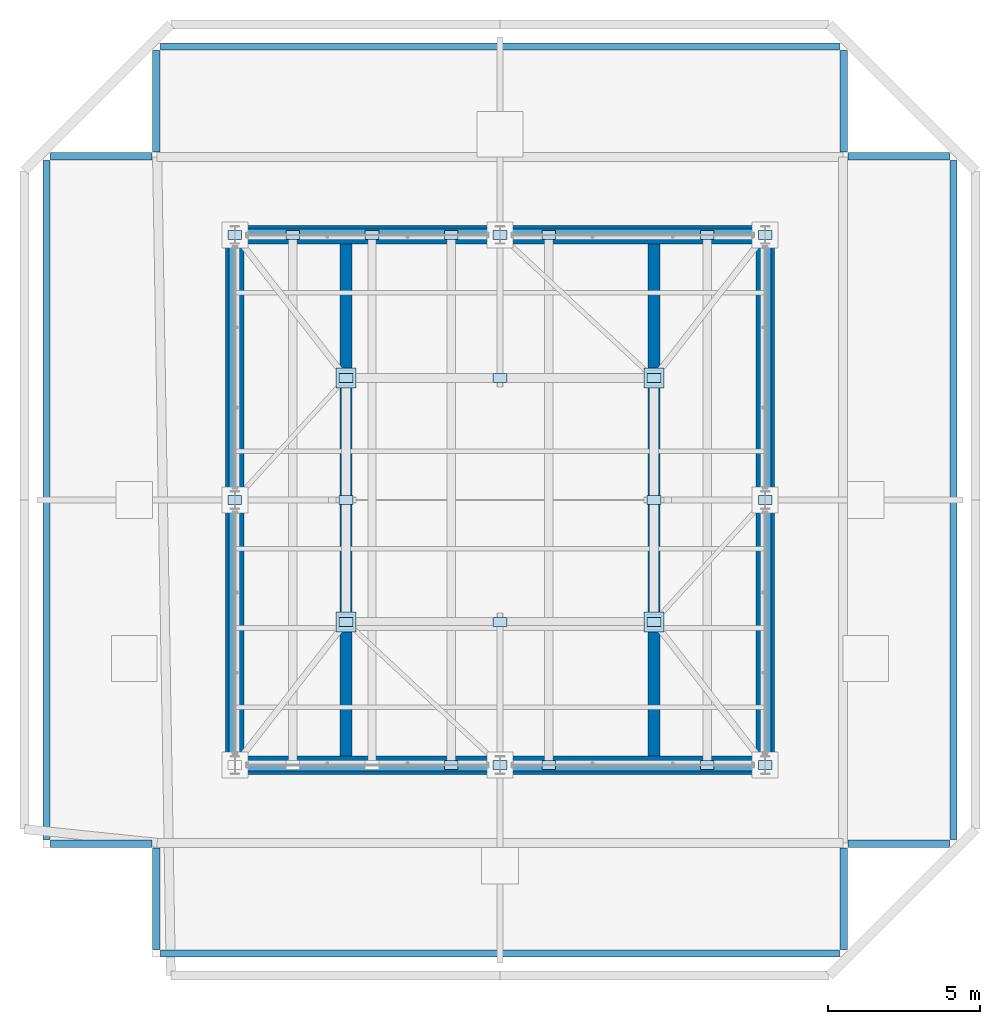
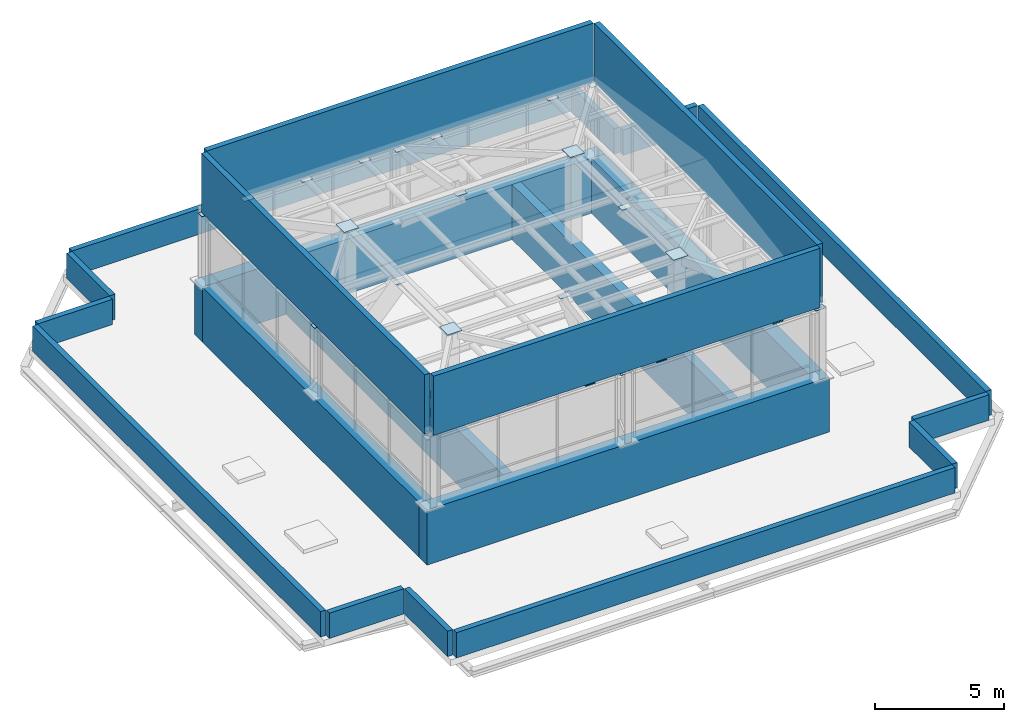
# One storey, part 21 of 22: 27 plates, 22 walls.
"""IFC4 building model written with IfcOpenShell, lengths in metres."""

import ifcopenshell
import ifcopenshell.guid

model = None  # the IFC model being written
_history = None  # IfcOwnerHistory: only IFC2X3 demands one
_inside = {}  # id of a spatial element -> (the spatial element, [elements in it])
_under = {}  # id of a project, library or spatial element -> (it, [spatial elements below it])
_declared = {}  # id of a project -> (the project, [libraries it declares])
_typed = {}  # id of a type object -> (the type object, [elements of that type])
_made_of = {}  # id of a material, layer set ... -> (it, [elements and type objects made of it])


def new_model(schema):
    """Start an empty IFC model of exactly this schema.

    Asked for "IFC4X3", IfcOpenShell would pick the latest addendum, in which some entities
    have other attributes; the version numbers below select the first issue.
    IFC2X3 requires an IfcOwnerHistory on every rooted entity: one is made here for all.
    """
    global model, _history
    if schema == "IFC4X3":
        model = ifcopenshell.file(schema_version=(4, 3, 0, 0))
    else:
        model = ifcopenshell.file(schema=schema)
    _inside.clear()
    _under.clear()
    _declared.clear()
    _typed.clear()
    _made_of.clear()
    _history = None
    if model.schema == "IFC2X3":
        org = make("IfcOrganization", Name="unknown")
        user = make(
            "IfcPersonAndOrganization",
            ThePerson=make("IfcPerson", FamilyName="unknown"),
            TheOrganization=org,
        )
        app = make(
            "IfcApplication",
            ApplicationDeveloper=org,
            Version="unknown",
            ApplicationFullName="unknown",
            ApplicationIdentifier="unknown",
        )
        _history = make(
            "IfcOwnerHistory",
            OwningUser=user,
            OwningApplication=app,
            ChangeAction="ADDED",
            CreationDate=0,
        )
    return model


def make(cls, **values):
    """One entity of the class cls with the attributes given. An attribute that is None is left unset."""
    return model.create_entity(
        cls, **{name: value for name, value in values.items() if value is not None}
    )


def rooted(cls, **values):
    """An entity with a GlobalId (a new one), such as an element, a storey or a relation."""
    return make(cls, GlobalId=ifcopenshell.guid.new(), OwnerHistory=_history, **values)


def si_unit(unit_type, name, prefix=None):
    """IfcSIUnit, for example si_unit("LENGTHUNIT", "METRE", prefix="MILLI")."""
    return make("IfcSIUnit", UnitType=unit_type, Prefix=prefix, Name=name)


def assignment(units):
    """IfcUnitAssignment: the units of a project."""
    return None if units is None else make("IfcUnitAssignment", Units=units)


def point(xyz):
    """IfcCartesianPoint."""
    return None if xyz is None else make("IfcCartesianPoint", Coordinates=xyz)


def direction(xyz):
    """IfcDirection."""
    return None if xyz is None else make("IfcDirection", DirectionRatios=xyz)


def frame(location, z_axis=None, x_axis=None):
    """IfcAxis2Placement3D, a coordinate frame: its origin and axes. An axis left out is left unset."""
    return make(
        "IfcAxis2Placement3D",
        Location=point(location),
        Axis=direction(z_axis),
        RefDirection=direction(x_axis),
    )


def frame_2d(location, x_axis=None):
    """IfcAxis2Placement2D, a coordinate frame in the plane: its origin and x axis."""
    return make(
        "IfcAxis2Placement2D", Location=point(location), RefDirection=direction(x_axis)
    )


def origin():
    """The frame at (0, 0, 0) with its axes left unset."""
    return frame((0.0, 0.0, 0.0))


def origin_2d():
    """The frame at (0, 0) in the plane with its x axis left unset."""
    return frame_2d((0.0, 0.0))


def place(relative_to, where):
    """IfcLocalPlacement: puts the frame where relative to a parent placement (None: the world)."""
    return make(
        "IfcLocalPlacement", PlacementRelTo=relative_to, RelativePlacement=where
    )


def context(
    kind, dimensions, precision=None, world=None, true_north=None, identifier=None
):
    """IfcGeometricRepresentationContext, for example the 3D "Model" context."""
    return make(
        "IfcGeometricRepresentationContext",
        ContextIdentifier=identifier,
        ContextType=kind,
        CoordinateSpaceDimension=dimensions,
        Precision=precision,
        WorldCoordinateSystem=world,
        TrueNorth=true_north,
    )


def subcontext(parent, identifier, kind, view, scale=None):
    """IfcGeometricRepresentationSubContext, for example "Body" below "Model"."""
    return make(
        "IfcGeometricRepresentationSubContext",
        ContextIdentifier=identifier,
        ContextType=kind,
        ParentContext=parent,
        TargetScale=scale,
        TargetView=view,
    )


def project(units=None, contexts=None):
    """IfcProject with its units and contexts."""
    return rooted(
        "IfcProject",
        Name="project",
        RepresentationContexts=contexts,
        UnitsInContext=assignment(units),
    )


def spatial(cls, under=None, at=None, **own):
    """A site, building, storey or space (cls), placed at a placement, below another one or the project."""
    s = rooted(cls, ObjectPlacement=at, **own)
    if under is not None:
        _under.setdefault(under.id(), (under, []))[1].append(s)
    return s


def profile(cls, at=None, kind="AREA", **sizes):
    """A parametric profile (cls). Its sizes go by their IFC names, for example OverallWidth=200.0."""
    return make(cls, ProfileType=kind, Position=at, **sizes)


def rectangle(**sizes):
    """IfcRectangleProfileDef."""
    return profile("IfcRectangleProfileDef", **sizes)


def extrude(swept, where, along, depth):
    """IfcExtrudedAreaSolid: the profile swept, set in the frame where, extruded along a direction by depth."""
    return make(
        "IfcExtrudedAreaSolid",
        SweptArea=swept,
        Position=where,
        ExtrudedDirection=direction(along),
        Depth=depth,
    )


def shape(context_of_items, identifier, shape_type, items):
    """IfcShapeRepresentation: the items that make up one representation, for example the "Body"."""
    return make(
        "IfcShapeRepresentation",
        ContextOfItems=context_of_items,
        RepresentationIdentifier=identifier,
        RepresentationType=shape_type,
        Items=items,
    )


def material(Name=None, Category=None):
    """IfcMaterial."""
    return make("IfcMaterial", Name=Name, Category=Category)


def layer(
    of_material, thickness, ventilated=None, Name=None, Category=None, Priority=None
):
    """IfcMaterialLayer: one layer of a wall or slab, of a material (None: an air gap)."""
    return make(
        "IfcMaterialLayer",
        Material=of_material,
        LayerThickness=thickness,
        IsVentilated=ventilated,
        Name=Name,
        Category=Category,
        Priority=Priority,
    )


def layer_set(layers, Name=None):
    """IfcMaterialLayerSet."""
    return make("IfcMaterialLayerSet", MaterialLayers=layers, LayerSetName=Name)


def made_of(thing, what):
    """Note that an element or type object is made of a material, layer set ...; save() writes the relation."""
    if what is not None:
        _made_of.setdefault(what.id(), (what, []))[1].append(thing)
    return thing


def type_object(cls, material=None, **own):
    """A type object (cls), such as IfcWallType, which elements share."""
    return made_of(rooted(cls, **own), material)


def element(
    cls,
    number,
    at=None,
    inside=None,
    cuts=None,
    type_object=None,
    material=None,
    context=None,
    identifier="Body",
    shape_type=None,
    held_by="IfcProductDefinitionShape",
    body=None,
    shapes=None,
    **own,
):
    """One element of the class cls, such as IfcWall. Its Tag is "e" and its number.

    at: its placement. inside: the storey or other place that contains it. cuts: it is an
    opening in that element (IfcRelVoidsElement). A single representation is given by context,
    identifier, shape_type and body (its items); several are given by shapes. held_by: the class
    of the entity that holds the representations. save() writes the other relations.
    """
    e = rooted(cls, Tag="e%d" % number, ObjectPlacement=at, **own)
    if body is not None:
        shapes = [shape(context, identifier, shape_type, body)]
    if shapes is not None:
        e.Representation = make(held_by, Representations=shapes)
    if inside is not None:
        _inside.setdefault(inside.id(), (inside, []))[1].append(e)
    if cuts is not None:
        rooted(
            "IfcRelVoidsElement", RelatingBuildingElement=cuts, RelatedOpeningElement=e
        )
    if type_object is not None:
        _typed.setdefault(type_object.id(), (type_object, []))[1].append(e)
    return made_of(e, material)


def aggregate(whole, parts):
    """IfcRelAggregates: a whole, such as a stair, and the parts it consists of."""
    return rooted("IfcRelAggregates", RelatingObject=whole, RelatedObjects=parts)


def save(model, path):
    """Write the relations noted so far, then the file.

    IfcRelAggregates (storeys below a building ...), IfcRelContainedInSpatialStructure (elements
    in a storey), IfcRelDefinesByType, IfcRelAssociatesMaterial and IfcRelDeclares: one each for
    every whole, place, type object, material and project.
    """
    for whole, parts in _under.values():
        aggregate(whole, parts)
    for where, things in _inside.values():
        rooted(
            "IfcRelContainedInSpatialStructure",
            RelatedElements=things,
            RelatingStructure=where,
        )
    for kind, things in _typed.values():
        rooted("IfcRelDefinesByType", RelatedObjects=things, RelatingType=kind)
    for what, things in _made_of.values():
        rooted("IfcRelAssociatesMaterial", RelatedObjects=things, RelatingMaterial=what)
    for by, libraries in _declared.values():
        rooted("IfcRelDeclares", RelatingContext=by, RelatedDefinitions=libraries)
    model.write(path)


model = new_model("IFC4")

# Units and contexts
model_context = context("Model", 3, precision=1e-05, world=origin(), true_north=direction((0.0, 1.0)))
body_context = subcontext(model_context, "Body", "Model", "MODEL_VIEW")
ifc_project = project(units=[si_unit("LENGTHUNIT", "METRE"), si_unit("AREAUNIT", "SQUARE_METRE"), si_unit("VOLUMEUNIT", "CUBIC_METRE"), si_unit("PLANEANGLEUNIT", "RADIAN"), si_unit("MASSUNIT", "GRAM", prefix="KILO")], contexts=[model_context])

# Site, building, storey
site_placement = place(None, origin())
site = spatial("IfcSite", under=ifc_project, at=site_placement, CompositionType="ELEMENT")
building_placement = place(site_placement, origin())
building = spatial("IfcBuilding", under=site, at=building_placement, Name="Belovzor Exchange Tower", CompositionType="ELEMENT")
storey_placement = place(building_placement, frame((0.0, 0.0, 378.60009765625)))
storey = spatial("IfcBuildingStorey", under=building, at=storey_placement, Name="RF", CompositionType="ELEMENT", Elevation=378.60009765625)

# Plates
ifc_material_1 = material(Name="Steel S355", Category="steel")
ifc_layer_1 = layer(ifc_material_1, 0.02001953125)
ifc_layer_set_1 = layer_set([ifc_layer_1], Name="Steel S355")
plate_type_1 = type_object("IfcPlateType", Name="Crown Hollow Rafter End Cap Plate 450x300x20", PredefinedType="USERDEFINED", material=ifc_layer_set_1)
for number, where, z_axis, x_axis, name in (
    (1, (23.75, 24.800048828125, 6.559814453125), (0.0, 0.0, 1.0), (1.0, 0.0, 0.0), "CP-4 Crown Hollow Rafter End Cap Plate 450x300x20"),
    (2, (37.5, 20.10009765625, 5.789794921875), (0.0, 0.0, 1.0), (1.0, 0.0, 0.0), "CP-4 Crown Hollow Rafter End Cap Plate 450x300x20"),
    (3, (33.85009765625, 24.800048828125, 6.559814453125), (0.0, 0.0, 1.0), (1.0, 0.0, 0.0), "CP-4 Crown Hollow Rafter End Cap Plate 450x300x20"),
    (4, (37.5, 37.5, 5.789794921875), (0.0, 0.0, 1.0), (1.0, 0.0, 0.0), "CP-4 Crown Hollow Rafter End Cap Plate 450x300x20"),
    (5, (33.85009765625, 32.800048828125, 6.559814453125), (0.0, 0.0, 1.0), (1.0, 0.0, 0.0), "CP-4 Crown Hollow Rafter End Cap Plate 450x300x20"),
    (6, (20.10009765625, 37.5, 5.789794921875), (0.0, 0.0, 1.0), (1.0, 0.0, 0.0), "CP-4 Crown Hollow Rafter End Cap Plate 450x300x20"),
    (7, (23.75, 32.800048828125, 6.559814453125), (0.0, 0.0, 1.0), (1.0, 0.0, 0.0), "CP-4 Crown Hollow Rafter End Cap Plate 450x300x20"),
    (8, (28.800048828125, 20.10009765625, 5.789794921875), (0.0, 0.0, 1.0), (1.0, 0.0, 0.0), "CP-4 Crown Hollow Rafter End Cap Plate 450x300x20"),
    (9, (28.800048828125, 24.800048828125, 6.559814453125), (0.0, 0.0, 1.0), (1.0, 0.0, 0.0), "CP-4 Crown Hollow Rafter End Cap Plate 450x300x20"),
    (10, (37.5, 28.800048828125, 5.789794921875), (0.0, 0.0, 1.0), (1.0, 0.0, 0.0), "CP-4 Crown Hollow Rafter End Cap Plate 450x300x20"),
    (11, (33.85009765625, 28.800048828125, 6.559814453125), (0.0, 0.0, 1.0), (1.0, 0.0, 0.0), "CP-4 Crown Hollow Rafter End Cap Plate 450x300x20"),
    (12, (28.800048828125, 37.5, 5.789794921875), (0.0, 0.0, 1.0), (1.0, 0.0, 0.0), "CP-4 Crown Hollow Rafter End Cap Plate 450x300x20"),
    (13, (28.800048828125, 32.800048828125, 6.559814453125), (0.0, 0.0, 1.0), (1.0, 0.0, 0.0), "CP-4 Crown Hollow Rafter End Cap Plate 450x300x20"),
    (14, (20.10009765625, 28.800048828125, 5.789794921875), (0.0, 0.0, 1.0), (1.0, 0.0, 0.0), "CP-4 Crown Hollow Rafter End Cap Plate 450x300x20"),
    (15, (23.75, 28.800048828125, 6.559814453125), (0.0, 0.0, 1.0), (1.0, 0.0, 0.0), "CP-4 Crown Hollow Rafter End Cap Plate 450x300x20"),
    (16, (22.0, 37.5, 5.83984375), (0.0, 0.0, 1.0), (1.0, 0.0, 0.0), "CP-4 Crown Hollow Rafter End Cap Plate 450x300x20"),
    (17, (24.60009765625, 37.5, 5.83984375), (0.0, 0.0, 1.0), (1.0, 0.0, 0.0), "CP-4 Crown Hollow Rafter End Cap Plate 450x300x20"),
    (18, (27.199951171875, 20.10009765625, 5.83984375), (0.0, 0.0, 1.0), (1.0, 0.0, 0.0), "CP-4 Crown Hollow Rafter End Cap Plate 450x300x20"),
    (19, (27.199951171875, 37.5, 5.83984375), (0.0, 0.0, 1.0), (1.0, 0.0, 0.0), "CP-4 Crown Hollow Rafter End Cap Plate 450x300x20"),
    (20, (30.39990234375, 20.10009765625, 5.83984375), (0.0, 0.0, 1.0), (1.0, 0.0, 0.0), "CP-4 Crown Hollow Rafter End Cap Plate 450x300x20"),
    (21, (30.39990234375, 37.5, 5.83984375), (0.0, 0.0, 1.0), (1.0, 0.0, 0.0), "CP-4 Crown Hollow Rafter End Cap Plate 450x300x20"),
    (22, (35.60009765625, 20.10009765625, 5.83984375), (0.0, 0.0, 1.0), (1.0, 0.0, 0.0), "CP-4 Crown Hollow Rafter End Cap Plate 450x300x20"),
    (23, (35.60009765625, 37.5, 5.83984375), (0.0, 0.0, 1.0), (1.0, 0.0, 0.0), "CP-4 Crown Hollow Rafter End Cap Plate 450x300x20"),
):
    element("IfcPlate", number, at=place(storey_placement, frame(where, z_axis=z_axis, x_axis=x_axis)), inside=storey, type_object=plate_type_1, Name=name, ObjectType="CAP_PLATE", PredefinedType="USERDEFINED", context=body_context, shape_type="SweptSolid", body=[
        extrude(rectangle(XDim=0.449951171875, YDim=0.300048828125, at=origin_2d()), origin(), (0.0, 0.0, 1.0), 0.02001953125),
    ])
ifc_material_2 = material(Name="Steel S460", Category="steel")
ifc_layer_2 = layer(ifc_material_2, 0.028076171875)
ifc_layer_set_2 = layer_set([ifc_layer_2], Name="Steel S460")
plate_type_2 = type_object("IfcPlateType", Name="Hollow Truss End Cap Plate 650x650x28", PredefinedType="USERDEFINED", material=ifc_layer_set_2)
for number, where, z_axis, x_axis, name in (
    (24, (23.75, 24.800048828125, 6.755859375), (0.0, 0.0, 1.0), (1.0, 0.0, 0.0), "CP-2 Hollow Truss End Cap Plate 650x650x28"),
    (25, (33.85009765625, 24.800048828125, 6.755859375), (0.0, 0.0, 1.0), (1.0, 0.0, 0.0), "CP-2 Hollow Truss End Cap Plate 650x650x28"),
    (26, (33.85009765625, 32.800048828125, 6.755859375), (0.0, 0.0, 1.0), (1.0, 0.0, 0.0), "CP-2 Hollow Truss End Cap Plate 650x650x28"),
    (27, (23.75, 32.800048828125, 6.755859375), (0.0, 0.0, 1.0), (1.0, 0.0, 0.0), "CP-2 Hollow Truss End Cap Plate 650x650x28"),
):
    element("IfcPlate", number, at=place(storey_placement, frame(where, z_axis=z_axis, x_axis=x_axis)), inside=storey, type_object=plate_type_2, Name=name, ObjectType="CAP_PLATE", PredefinedType="USERDEFINED", context=body_context, shape_type="SweptSolid", body=[
        extrude(rectangle(XDim=0.64990234375, YDim=0.64990234375, at=origin_2d()), origin(), (0.0, 0.0, 1.0), 0.028076171875),
    ])

# Walls
ifc_material_3 = material(Name="Precast concrete C40/50", Category="concrete")
ifc_layer_3 = layer(ifc_material_3, 0.239990234375)
ifc_layer_set_3 = layer_set([ifc_layer_3], Name="Precast concrete C40/50")
wall_type_1 = type_object("IfcWallType", Name="Precast Stone Setback Roof Parapet Wall 240", PredefinedType="PARAPET", material=ifc_layer_set_3)
wall_1_placement = place(storey_placement, frame((17.655029296875, 13.919921875, 0.0), z_axis=(0.0, 0.0, 1.0), x_axis=(1.0, 0.0, 0.0)))
element("IfcWall", 28, at=wall_1_placement, inside=storey, type_object=wall_type_1, Name="W-PAR240 Precast Stone Setback Roof Parapet Wall 240 RF", PredefinedType="PARAPET", context=body_context, shape_type="SweptSolid", body=[
    extrude(rectangle(XDim=22.2900390625, YDim=0.239990234375, at=frame_2d((11.14501953125, 0.0))), origin(), (0.0, 0.0, 1.0), 1.199951171875),
])
wall_2_placement = place(storey_placement, frame((40.080078125, 14.054931640625, 0.0), z_axis=(0.0, 0.0, 1.0), x_axis=(0.0, 1.0, 0.0)))
element("IfcWall", 29, at=wall_2_placement, inside=storey, type_object=wall_type_1, Name="W-PAR240 Precast Stone Setback Roof Parapet Wall 240 RF", PredefinedType="PARAPET", context=body_context, shape_type="SweptSolid", body=[
    extrude(rectangle(XDim=3.330078125, YDim=0.239990234375, at=frame_2d((1.6650390625, 0.0))), origin(), (0.0, 0.0, 1.0), 1.199951171875),
])
wall_3_placement = place(storey_placement, frame((40.215087890625, 17.52001953125, 0.0), z_axis=(0.0, 0.0, 1.0), x_axis=(1.0, 0.0, 0.0)))
element("IfcWall", 30, at=wall_3_placement, inside=storey, type_object=wall_type_1, Name="W-PAR240 Precast Stone Setback Roof Parapet Wall 240 RF", PredefinedType="PARAPET", context=body_context, shape_type="SweptSolid", body=[
    extrude(rectangle(XDim=3.329833984375, YDim=0.239990234375, at=frame_2d((1.6650390625, 0.0))), origin(), (0.0, 0.0, 1.0), 1.199951171875),
])
wall_4_placement = place(storey_placement, frame((43.679931640625, 17.655029296875, 0.0), z_axis=(0.0, 0.0, 1.0), x_axis=(0.0, 1.0, 0.0)))
element("IfcWall", 31, at=wall_4_placement, inside=storey, type_object=wall_type_1, Name="W-PAR240 Precast Stone Setback Roof Parapet Wall 240 RF", PredefinedType="PARAPET", context=body_context, shape_type="SweptSolid", body=[
    extrude(rectangle(XDim=22.2900390625, YDim=0.239990234375, at=frame_2d((11.14501953125, 0.0))), origin(), (0.0, 0.0, 1.0), 1.199951171875),
])
for number, where, z_axis, x_axis, name in (
    (32, (43.544921875, 40.080078125, 0.0), (0.0, 0.0, 1.0), (-1.0, 0.0, 0.0), "W-PAR240 Precast Stone Setback Roof Parapet Wall 240 RF"),
    (33, (40.080078125, 40.215087890625, 0.0), (0.0, 0.0, 1.0), (0.0, 1.0, 0.0), "W-PAR240 Precast Stone Setback Roof Parapet Wall 240 RF"),
):
    element("IfcWall", number, at=place(storey_placement, frame(where, z_axis=z_axis, x_axis=x_axis)), inside=storey, type_object=wall_type_1, Name=name, PredefinedType="PARAPET", context=body_context, shape_type="SweptSolid", body=[
        extrude(rectangle(XDim=3.329833984375, YDim=0.239990234375, at=frame_2d((1.6650390625, 0.0))), origin(), (0.0, 0.0, 1.0), 1.199951171875),
    ])
wall_5_placement = place(storey_placement, frame((39.945068359375, 43.679931640625, 0.0), z_axis=(0.0, 0.0, 1.0), x_axis=(-1.0, 0.0, 0.0)))
element("IfcWall", 34, at=wall_5_placement, inside=storey, type_object=wall_type_1, Name="W-PAR240 Precast Stone Setback Roof Parapet Wall 240 RF", PredefinedType="PARAPET", context=body_context, shape_type="SweptSolid", body=[
    extrude(rectangle(XDim=22.2900390625, YDim=0.239990234375, at=frame_2d((11.14501953125, 0.0))), origin(), (0.0, 0.0, 1.0), 1.199951171875),
])
wall_6_placement = place(storey_placement, frame((17.52001953125, 43.544921875, 0.0), z_axis=(0.0, 0.0, 1.0), x_axis=(0.0, -1.0, 0.0)))
element("IfcWall", 35, at=wall_6_placement, inside=storey, type_object=wall_type_1, Name="W-PAR240 Precast Stone Setback Roof Parapet Wall 240 RF", PredefinedType="PARAPET", context=body_context, shape_type="SweptSolid", body=[
    extrude(rectangle(XDim=3.329833984375, YDim=0.239990234375, at=frame_2d((1.6650390625, 0.0))), origin(), (0.0, 0.0, 1.0), 1.199951171875),
])
wall_7_placement = place(storey_placement, frame((17.385009765625, 40.080078125, 0.0), z_axis=(0.0, 0.0, 1.0), x_axis=(-1.0, 0.0, 0.0)))
element("IfcWall", 36, at=wall_7_placement, inside=storey, type_object=wall_type_1, Name="W-PAR240 Precast Stone Setback Roof Parapet Wall 240 RF", PredefinedType="PARAPET", context=body_context, shape_type="SweptSolid", body=[
    extrude(rectangle(XDim=3.330078125, YDim=0.239990234375, at=frame_2d((1.6650390625, 0.0))), origin(), (0.0, 0.0, 1.0), 1.199951171875),
])
wall_8_placement = place(storey_placement, frame((13.919921875, 39.945068359375, 0.0), z_axis=(0.0, 0.0, 1.0), x_axis=(0.0, -1.0, 0.0)))
element("IfcWall", 37, at=wall_8_placement, inside=storey, type_object=wall_type_1, Name="W-PAR240 Precast Stone Setback Roof Parapet Wall 240 RF", PredefinedType="PARAPET", context=body_context, shape_type="SweptSolid", body=[
    extrude(rectangle(XDim=22.2900390625, YDim=0.239990234375, at=frame_2d((11.14501953125, 0.0))), origin(), (0.0, 0.0, 1.0), 1.199951171875),
])
for number, where, z_axis, x_axis, name in (
    (38, (14.054931640625, 17.52001953125, 0.0), (0.0, 0.0, 1.0), (1.0, 0.0, 0.0), "W-PAR240 Precast Stone Setback Roof Parapet Wall 240 RF"),
    (39, (17.52001953125, 17.385009765625, 0.0), (0.0, 0.0, 1.0), (0.0, -1.0, 0.0), "W-PAR240 Precast Stone Setback Roof Parapet Wall 240 RF"),
):
    element("IfcWall", number, at=place(storey_placement, frame(where, z_axis=z_axis, x_axis=x_axis)), inside=storey, type_object=wall_type_1, Name=name, PredefinedType="PARAPET", context=body_context, shape_type="SweptSolid", body=[
        extrude(rectangle(XDim=3.330078125, YDim=0.239990234375, at=frame_2d((1.6650390625, 0.0))), origin(), (0.0, 0.0, 1.0), 1.199951171875),
    ])
for number, where, z_axis, x_axis, name in (
    (40, (37.43994140625, 20.02001953125, 5.949951171875), (0.0, 0.0, 1.0), (-1.0, 0.0, 0.0), "W-PAR240 Precast Stone Setback Roof Parapet Wall 240 RF"),
    (41, (20.159912109375, 37.580078125, 5.949951171875), (0.0, 0.0, 1.0), (1.0, 0.0, 0.0), "W-PAR240 Precast Stone Setback Roof Parapet Wall 240 RF"),
    (42, (20.02001953125, 20.159912109375, 5.949951171875), (0.0, 0.0, 1.0), (0.0, 1.0, 0.0), "W-PAR240 Precast Stone Setback Roof Parapet Wall 240 RF"),
    (43, (37.580078125, 37.43994140625, 5.949951171875), (0.0, 0.0, 1.0), (0.0, -1.0, 0.0), "W-PAR240 Precast Stone Setback Roof Parapet Wall 240 RF"),
):
    element("IfcWall", number, at=place(storey_placement, frame(where, z_axis=z_axis, x_axis=x_axis)), inside=storey, type_object=wall_type_1, Name=name, PredefinedType="PARAPET", context=body_context, shape_type="SweptSolid", body=[
        extrude(rectangle(XDim=17.280029296875, YDim=0.239990234375, at=frame_2d((8.64013671875, 0.0))), origin(), (0.0, 0.0, 1.0), 2.800048828125),
    ])
ifc_material_4 = material(Name="Concrete C50/60", Category="concrete")
ifc_layer_4 = layer(ifc_material_4, 0.39990234375)
ifc_layer_set_4 = layer_set([ifc_layer_4], Name="Concrete C50/60")
wall_type_2 = type_object("IfcWallType", Name="Reinforced Concrete Core Internal Web Wall 400", PredefinedType="SHEAR", material=ifc_layer_set_4)
for number, where, z_axis, x_axis, name in (
    (44, (23.75, 20.39990234375, 0.0), (0.0, 0.0, 1.0), (0.0, 1.0, 0.0), "CW-W040 Core Internal Web Wall RF WL"),
    (45, (33.85009765625, 20.39990234375, 0.0), (0.0, 0.0, 1.0), (0.0, 1.0, 0.0), "CW-W040 Core Internal Web Wall RF ER"),
):
    element("IfcWall", number, at=place(storey_placement, frame(where, z_axis=z_axis, x_axis=x_axis)), inside=storey, type_object=wall_type_2, Name=name, PredefinedType="SHEAR", context=body_context, shape_type="SweptSolid", body=[
        extrude(rectangle(XDim=16.800048828125, YDim=0.39990234375, at=frame_2d((8.39990234375, 0.0))), origin(), (0.0, 0.0, 1.0), 2.599853515625),
    ])
ifc_material_5 = material(Name="Concrete C50/60", Category="concrete")
ifc_layer_5 = layer(ifc_material_5, 0.60009765625)
ifc_layer_set_5 = layer_set([ifc_layer_5], Name="Concrete C50/60")
wall_type_3 = type_object("IfcWallType", Name="Reinforced Concrete Crown Core Shear Wall 600", PredefinedType="SHEAR", material=ifc_layer_set_5)
for number, where, z_axis, x_axis, name in (
    (46, (19.800048828125, 20.10009765625, 0.0), (0.0, 0.0, 1.0), (1.0, 0.0, 0.0), "CW-S060E Core Shear Wall RF S"),
    (47, (19.800048828125, 37.5, 0.0), (0.0, 0.0, 1.0), (1.0, 0.0, 0.0), "CW-S060E Core Shear Wall RF N"),
):
    element("IfcWall", number, at=place(storey_placement, frame(where, z_axis=z_axis, x_axis=x_axis)), inside=storey, type_object=wall_type_3, Name=name, PredefinedType="SHEAR", context=body_context, shape_type="SweptSolid", body=[
        extrude(rectangle(XDim=18.0, YDim=0.60009765625, at=frame_2d((9.0, 0.0))), origin(), (0.0, 0.0, 1.0), 2.599853515625),
    ])
for number, where, z_axis, x_axis, name in (
    (48, (20.10009765625, 20.39990234375, 0.0), (0.0, 0.0, 1.0), (0.0, 1.0, 0.0), "CW-S060E Core Shear Wall RF W"),
    (49, (37.5, 20.39990234375, 0.0), (0.0, 0.0, 1.0), (0.0, 1.0, 0.0), "CW-S060E Core Shear Wall RF E"),
):
    element("IfcWall", number, at=place(storey_placement, frame(where, z_axis=z_axis, x_axis=x_axis)), inside=storey, type_object=wall_type_3, Name=name, PredefinedType="SHEAR", context=body_context, shape_type="SweptSolid", body=[
        extrude(rectangle(XDim=16.800048828125, YDim=0.60009765625, at=frame_2d((8.39990234375, 0.0))), origin(), (0.0, 0.0, 1.0), 2.599853515625),
    ])

save(model, "model.ifc")
